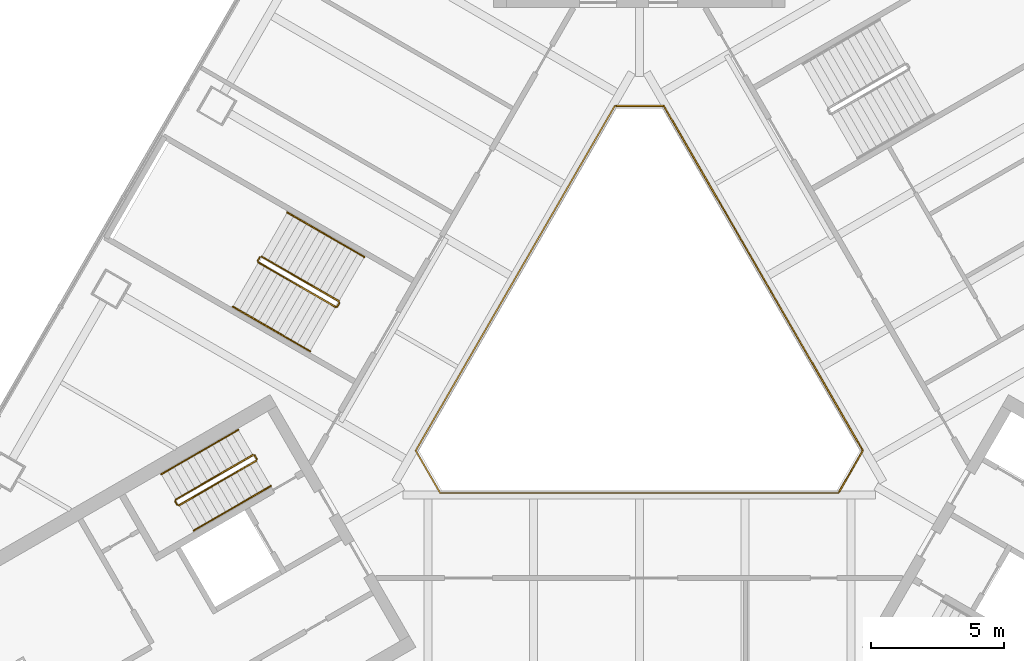
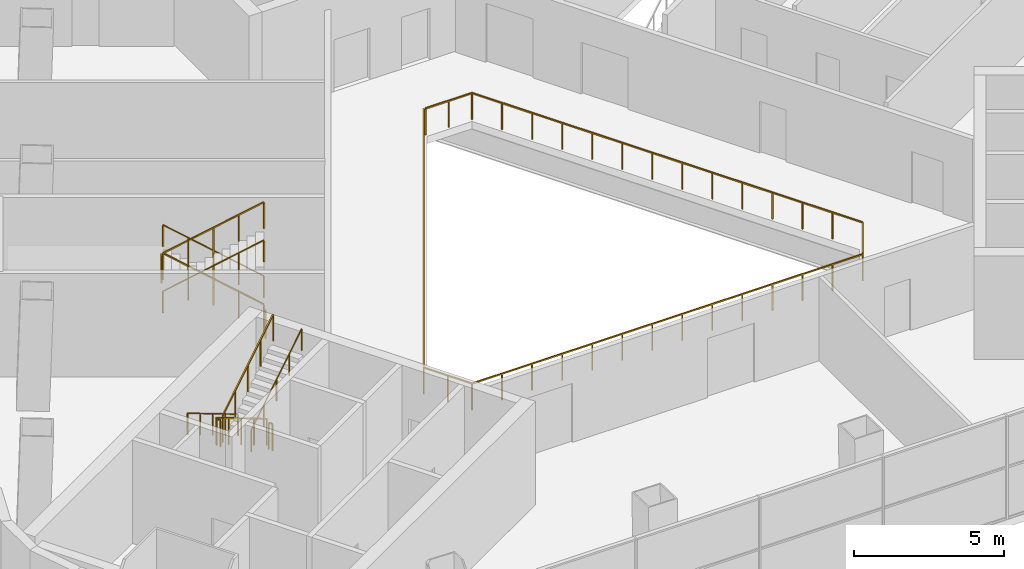
# One storey, part 11 of 12: 14 railings.
"""IFC4 building model written with IfcOpenShell, lengths in metres."""

from ifc_helpers import new_model, si_unit, direction, frame, origin, origin_2d, place, context, subcontext, project, spatial, rectangle, circle, extrude, material, type_object, element, save


model = new_model("IFC4")

# Units and contexts
model_context = context("Model", 3, precision=1e-05, world=origin(), true_north=direction((0.0, 1.0)))
body_context = subcontext(model_context, "Body", "Model", "MODEL_VIEW")
ifc_project = project(units=[si_unit("LENGTHUNIT", "METRE"), si_unit("AREAUNIT", "SQUARE_METRE"), si_unit("VOLUMEUNIT", "CUBIC_METRE"), si_unit("PLANEANGLEUNIT", "RADIAN"), si_unit("MASSUNIT", "GRAM", prefix="KILO")], contexts=[model_context])

# Site, building, storey
site_placement = place(None, origin())
site = spatial("IfcSite", under=ifc_project, at=site_placement, CompositionType="ELEMENT")
building_placement = place(site_placement, origin())
building = spatial("IfcBuilding", under=site, at=building_placement, Name="Apuvela Tower Hotel", CompositionType="ELEMENT")
storey_placement = place(building_placement, frame((0.0, 0.0, 28.5)))
storey = spatial("IfcBuildingStorey", under=building, at=storey_placement, Name="L04", CompositionType="ELEMENT", Elevation=28.5)

# Railings
ifc_material_1 = material(Name="Steel S275 balustrade", Category="steel")
railing_type_1 = type_object("IfcRailingType", Name="COR-GUARD-1100", PredefinedType="GUARDRAIL", material=ifc_material_1)
railing_1_placement = place(storey_placement, frame((-14.569091796875, -3.9658203125, 0.173095703125)))
element("IfcRailing", 1, at=railing_1_placement, inside=storey, type_object=railing_type_1, Name="L04 ST2 stair guard 1", PredefinedType="GUARDRAIL", context=body_context, shape_type="SweptSolid", body=[
    extrude(rectangle(XDim=0.048095703125, YDim=0.048095703125, at=origin_2d()), frame((0.0, 0.0, 1.076171875), z_axis=(-0.736639687092, -0.425307743487, 0.525809180911), x_axis=(0.500007602105, -0.866021014662, 0.0)), (0.0, 0.0, 1.0), 3.949951171875),
    extrude(rectangle(XDim=0.0419921875, YDim=0.0419921875, at=origin_2d()), origin(), (0.0, 0.0, 1.0), 1.052001953125),
    extrude(rectangle(XDim=0.0419921875, YDim=0.0419921875, at=origin_2d()), frame((-0.7275390625, -0.419921875, 0.519287109375)), (0.0, 0.0, 1.0), 1.052001953125),
    extrude(rectangle(XDim=0.0419921875, YDim=0.0419921875, at=origin_2d()), frame((-1.454833984375, -0.83984375, 1.03857421875)), (0.0, 0.0, 1.0), 1.052001953125),
    extrude(rectangle(XDim=0.0419921875, YDim=0.0419921875, at=origin_2d()), frame((-2.18212890625, -1.260009765625, 1.5576171875)), (0.0, 0.0, 1.0), 1.052001953125),
    extrude(rectangle(XDim=0.0419921875, YDim=0.0419921875, at=origin_2d()), frame((-2.90966796875, -1.679931640625, 2.076904296875)), (0.0, 0.0, 1.0), 1.052001953125),
])
railing_2_placement = place(storey_placement, frame((-17.4970703125, -5.714111328125, 2.25)))
element("IfcRailing", 2, at=railing_2_placement, inside=storey, type_object=railing_type_1, Name="L04 ST2 stair guard 2", PredefinedType="GUARDRAIL", context=body_context, shape_type="SweptSolid", body=[
    extrude(rectangle(XDim=0.048095703125, YDim=0.048095703125, at=origin_2d()), frame((0.0, 0.0, 1.076171875), z_axis=(0.499816412211, -0.866131372301, 0.0), x_axis=(0.866131372301, 0.499816412211, 0.0)), (0.0, 0.0, 1.0), 0.14990234375),
    extrude(rectangle(XDim=0.0419921875, YDim=0.0419921875, at=origin_2d()), origin(), (0.0, 0.0, 1.0), 1.052001953125),
    extrude(rectangle(XDim=0.0419921875, YDim=0.0419921875, at=origin_2d()), frame((0.074951171875, -0.1298828125, 0.0)), (0.0, 0.0, 1.0), 1.052001953125),
])
railing_3_placement = place(storey_placement, frame((-17.353759765625, -5.8623046875, 2.423095703125)))
element("IfcRailing", 3, at=railing_3_placement, inside=storey, type_object=railing_type_1, Name="L04 ST2 stair guard 3", PredefinedType="GUARDRAIL", context=body_context, shape_type="SweptSolid", body=[
    extrude(rectangle(XDim=0.048095703125, YDim=0.048095703125, at=origin_2d()), frame((0.0, 0.0, 1.076171875), z_axis=(0.736639687092, 0.425307743487, 0.525809180911), x_axis=(-0.500007602105, 0.866021014662, 0.0)), (0.0, 0.0, 1.0), 3.949951171875),
    extrude(rectangle(XDim=0.0419921875, YDim=0.0419921875, at=origin_2d()), origin(), (0.0, 0.0, 1.0), 1.052001953125),
    extrude(rectangle(XDim=0.0419921875, YDim=0.0419921875, at=origin_2d()), frame((0.7275390625, 0.419921875, 0.519287109375)), (0.0, 0.0, 1.0), 1.052001953125),
    extrude(rectangle(XDim=0.0419921875, YDim=0.0419921875, at=origin_2d()), frame((1.454833984375, 0.83984375, 1.03857421875)), (0.0, 0.0, 1.0), 1.052001953125),
    extrude(rectangle(XDim=0.0419921875, YDim=0.0419921875, at=origin_2d()), frame((2.18212890625, 1.260009765625, 1.5576171875)), (0.0, 0.0, 1.0), 1.052001953125),
    extrude(rectangle(XDim=0.0419921875, YDim=0.0419921875, at=origin_2d()), frame((2.90966796875, 1.679931640625, 2.076904296875)), (0.0, 0.0, 1.0), 1.052001953125),
])
railing_4_placement = place(storey_placement, frame((-14.500732421875, -3.984130859375, 0.0)))
element("IfcRailing", 4, at=railing_4_placement, inside=storey, type_object=railing_type_1, Name="L04 ST2 stair guard 4", PredefinedType="GUARDRAIL", context=body_context, shape_type="SweptSolid", body=[
    extrude(rectangle(XDim=0.048095703125, YDim=0.048095703125, at=origin_2d()), frame((0.0, 0.0, 1.076171875), z_axis=(0.499816412211, -0.866131372301, 0.0), x_axis=(0.866131372301, 0.499816412211, 0.0)), (0.0, 0.0, 1.0), 0.14990234375),
    extrude(rectangle(XDim=0.0419921875, YDim=0.0419921875, at=origin_2d()), origin(), (0.0, 0.0, 1.0), 1.052001953125),
    extrude(rectangle(XDim=0.0419921875, YDim=0.0419921875, at=origin_2d()), frame((0.074951171875, -0.1298828125, 0.0)), (0.0, 0.0, 1.0), 1.052001953125),
])
ifc_material_2 = material(Name="Stainless steel 316 handrail", Category="steel")
railing_type_2 = type_object("IfcRailingType", Name="COR-HANDRAIL-900", PredefinedType="HANDRAIL", material=ifc_material_2)
railing_5_placement = place(storey_placement, frame((-15.118896484375, -3.01318359375, 0.173095703125)))
element("IfcRailing", 5, at=railing_5_placement, inside=storey, type_object=railing_type_2, Name="L04 ST2 stair handrail 1", PredefinedType="HANDRAIL", context=body_context, shape_type="SweptSolid", body=[
    extrude(circle(Radius=0.02392578125, at=origin_2d()), frame((0.0, 0.0, 0.8759765625), z_axis=(-0.736667954249, -0.425288379326, 0.525785240943), x_axis=(0.499976138585, -0.866039179741, 0.0)), (0.0, 0.0, 1.0), 3.9501953125),
    extrude(rectangle(XDim=0.0419921875, YDim=0.0419921875, at=origin_2d()), origin(), (0.0, 0.0, 1.0), 0.851806640625),
    extrude(rectangle(XDim=0.0419921875, YDim=0.0419921875, at=origin_2d()), frame((-0.7275390625, -0.419921875, 0.519287109375)), (0.0, 0.0, 1.0), 0.851806640625),
    extrude(rectangle(XDim=0.0419921875, YDim=0.0419921875, at=origin_2d()), frame((-1.455078125, -0.83984375, 1.03857421875)), (0.0, 0.0, 1.0), 0.851806640625),
    extrude(rectangle(XDim=0.0419921875, YDim=0.0419921875, at=origin_2d()), frame((-2.182373046875, -1.260009765625, 1.5576171875)), (0.0, 0.0, 1.0), 0.851806640625),
    extrude(rectangle(XDim=0.0419921875, YDim=0.0419921875, at=origin_2d()), frame((-2.909912109375, -1.679931640625, 2.076904296875)), (0.0, 0.0, 1.0), 0.851806640625),
])
railing_6_placement = place(storey_placement, frame((-16.8037109375, -6.81494140625, 2.423095703125)))
element("IfcRailing", 6, at=railing_6_placement, inside=storey, type_object=railing_type_2, Name="L04 ST2 stair handrail 2", PredefinedType="HANDRAIL", context=body_context, shape_type="SweptSolid", body=[
    extrude(circle(Radius=0.02392578125, at=origin_2d()), frame((0.0, 0.0, 0.8759765625), z_axis=(0.736639687092, 0.425307743487, 0.525809180911), x_axis=(-0.500007602105, 0.866021014662, 0.0)), (0.0, 0.0, 1.0), 3.949951171875),
    extrude(rectangle(XDim=0.0419921875, YDim=0.0419921875, at=origin_2d()), origin(), (0.0, 0.0, 1.0), 0.851806640625),
    extrude(rectangle(XDim=0.0419921875, YDim=0.0419921875, at=origin_2d()), frame((0.7275390625, 0.419921875, 0.519287109375)), (0.0, 0.0, 1.0), 0.851806640625),
    extrude(rectangle(XDim=0.0419921875, YDim=0.0419921875, at=origin_2d()), frame((1.454833984375, 0.83984375, 1.03857421875)), (0.0, 0.0, 1.0), 0.851806640625),
    extrude(rectangle(XDim=0.0419921875, YDim=0.0419921875, at=origin_2d()), frame((2.18212890625, 1.260009765625, 1.5576171875)), (0.0, 0.0, 1.0), 0.851806640625),
    extrude(rectangle(XDim=0.0419921875, YDim=0.0419921875, at=origin_2d()), frame((2.90966796875, 1.679931640625, 2.076904296875)), (0.0, 0.0, 1.0), 0.851806640625),
])
ifc_material_3 = material(Name="Stainless steel 316 rail with laminated glass infill", Category="steel")
railing_type_3 = type_object("IfcRailingType", Name="ENV-GUARD-1100", PredefinedType="GUARDRAIL", material=ifc_material_3)
railing_7_placement = place(storey_placement, frame((-0.923828125, 9.199951171875, 0.0)))
element("IfcRailing", 7, at=railing_7_placement, inside=storey, type_object=railing_type_3, Name="Atrium void guard A L04", PredefinedType="GUARDRAIL", context=body_context, shape_type="SweptSolid", body=[
    extrude(rectangle(XDim=0.050048828125, YDim=0.050048828125, at=origin_2d()), frame((0.0, 0.0, 1.0751953125), z_axis=(-0.499990886379, -0.866030665472, 0.0), x_axis=(0.866030665472, -0.499990886379, 0.0)), (0.0, 0.0, 1.0), 15.010986328125),
    extrude(rectangle(XDim=0.050048828125, YDim=0.050048828125, at=origin_2d()), frame((-7.50537109375, -13.0, 1.0751953125), z_axis=(0.499962699187, -0.866046938348, 0.0), x_axis=(0.866046938348, 0.499962699187, 0.0)), (0.0, 0.0, 1.0), 1.847412109375),
    extrude(rectangle(XDim=0.050048828125, YDim=0.050048828125, at=origin_2d()), frame((-6.581787109375, -14.599853515625, 1.0751953125), z_axis=(1.0, 0.0, 0.0), x_axis=(0.0, 1.0, 0.0)), (0.0, 0.0, 1.0), 15.01123046875),
    extrude(rectangle(XDim=0.0400390625, YDim=0.0400390625, at=origin_2d()), origin(), (0.0, 0.0, 1.0), 1.050048828125),
    extrude(rectangle(XDim=0.0400390625, YDim=0.0400390625, at=origin_2d()), frame((-0.577392578125, -1.0, 0.0)), (0.0, 0.0, 1.0), 1.050048828125),
    extrude(rectangle(XDim=0.0400390625, YDim=0.0400390625, at=origin_2d()), frame((-1.15478515625, -2.0, 0.0)), (0.0, 0.0, 1.0), 1.050048828125),
    extrude(rectangle(XDim=0.0400390625, YDim=0.0400390625, at=origin_2d()), frame((-1.73193359375, -3.0, 0.0)), (0.0, 0.0, 1.0), 1.050048828125),
    extrude(rectangle(XDim=0.0400390625, YDim=0.0400390625, at=origin_2d()), frame((-2.309326171875, -4.0, 0.0)), (0.0, 0.0, 1.0), 1.050048828125),
    extrude(rectangle(XDim=0.0400390625, YDim=0.0400390625, at=origin_2d()), frame((-2.88671875, -5.0, 0.0)), (0.0, 0.0, 1.0), 1.050048828125),
    extrude(rectangle(XDim=0.0400390625, YDim=0.0400390625, at=origin_2d()), frame((-3.464111328125, -6.0, 0.0)), (0.0, 0.0, 1.0), 1.050048828125),
    extrude(rectangle(XDim=0.0400390625, YDim=0.0400390625, at=origin_2d()), frame((-4.041259765625, -7.0, 0.0)), (0.0, 0.0, 1.0), 1.050048828125),
    extrude(rectangle(XDim=0.0400390625, YDim=0.0400390625, at=origin_2d()), frame((-4.61865234375, -8.0, 0.0)), (0.0, 0.0, 1.0), 1.050048828125),
    extrude(rectangle(XDim=0.0400390625, YDim=0.0400390625, at=origin_2d()), frame((-5.196044921875, -9.0, 0.0)), (0.0, 0.0, 1.0), 1.050048828125),
    extrude(rectangle(XDim=0.0400390625, YDim=0.0400390625, at=origin_2d()), frame((-5.7734375, -10.0, 0.0)), (0.0, 0.0, 1.0), 1.050048828125),
    extrude(rectangle(XDim=0.0400390625, YDim=0.0400390625, at=origin_2d()), frame((-6.3505859375, -11.0, 0.0)), (0.0, 0.0, 1.0), 1.050048828125),
    extrude(rectangle(XDim=0.0400390625, YDim=0.0400390625, at=origin_2d()), frame((-6.927978515625, -12.0, 0.0)), (0.0, 0.0, 1.0), 1.050048828125),
    extrude(rectangle(XDim=0.0400390625, YDim=0.0400390625, at=origin_2d()), frame((-7.50537109375, -13.0, 0.0)), (0.0, 0.0, 1.0), 1.050048828125),
    extrude(rectangle(XDim=0.0400390625, YDim=0.0400390625, at=origin_2d()), frame((-7.04345703125, -13.7998046875, 0.0)), (0.0, 0.0, 1.0), 1.050048828125),
    extrude(rectangle(XDim=0.0400390625, YDim=0.0400390625, at=origin_2d()), frame((-6.581787109375, -14.599853515625, 0.0)), (0.0, 0.0, 1.0), 1.050048828125),
    extrude(rectangle(XDim=0.0400390625, YDim=0.0400390625, at=origin_2d()), frame((-5.427001953125, -14.599853515625, 0.0)), (0.0, 0.0, 1.0), 1.050048828125),
    extrude(rectangle(XDim=0.0400390625, YDim=0.0400390625, at=origin_2d()), frame((-4.2724609375, -14.599853515625, 0.0)), (0.0, 0.0, 1.0), 1.050048828125),
    extrude(rectangle(XDim=0.0400390625, YDim=0.0400390625, at=origin_2d()), frame((-3.11767578125, -14.599853515625, 0.0)), (0.0, 0.0, 1.0), 1.050048828125),
    extrude(rectangle(XDim=0.0400390625, YDim=0.0400390625, at=origin_2d()), frame((-1.962890625, -14.599853515625, 0.0)), (0.0, 0.0, 1.0), 1.050048828125),
    extrude(rectangle(XDim=0.0400390625, YDim=0.0400390625, at=origin_2d()), frame((-0.808349609375, -14.599853515625, 0.0)), (0.0, 0.0, 1.0), 1.050048828125),
    extrude(rectangle(XDim=0.0400390625, YDim=0.0400390625, at=origin_2d()), frame((0.346435546875, -14.599853515625, 0.0)), (0.0, 0.0, 1.0), 1.050048828125),
    extrude(rectangle(XDim=0.0400390625, YDim=0.0400390625, at=origin_2d()), frame((1.501220703125, -14.599853515625, 0.0)), (0.0, 0.0, 1.0), 1.050048828125),
    extrude(rectangle(XDim=0.0400390625, YDim=0.0400390625, at=origin_2d()), frame((2.656005859375, -14.599853515625, 0.0)), (0.0, 0.0, 1.0), 1.050048828125),
    extrude(rectangle(XDim=0.0400390625, YDim=0.0400390625, at=origin_2d()), frame((3.810546875, -14.599853515625, 0.0)), (0.0, 0.0, 1.0), 1.050048828125),
    extrude(rectangle(XDim=0.0400390625, YDim=0.0400390625, at=origin_2d()), frame((4.96533203125, -14.599853515625, 0.0)), (0.0, 0.0, 1.0), 1.050048828125),
    extrude(rectangle(XDim=0.0400390625, YDim=0.0400390625, at=origin_2d()), frame((6.1201171875, -14.599853515625, 0.0)), (0.0, 0.0, 1.0), 1.050048828125),
    extrude(rectangle(XDim=0.0400390625, YDim=0.0400390625, at=origin_2d()), frame((7.274658203125, -14.599853515625, 0.0)), (0.0, 0.0, 1.0), 1.050048828125),
    extrude(rectangle(XDim=0.0400390625, YDim=0.0400390625, at=origin_2d()), frame((8.429443359375, -14.599853515625, 0.0)), (0.0, 0.0, 1.0), 1.050048828125),
])
railing_8_placement = place(storey_placement, frame((7.53564453125, -5.347900390625, 0.0)))
element("IfcRailing", 8, at=railing_8_placement, inside=storey, type_object=railing_type_3, Name="Atrium void guard B L04", PredefinedType="GUARDRAIL", context=body_context, shape_type="SweptSolid", body=[
    extrude(rectangle(XDim=0.050048828125, YDim=0.050048828125, at=origin_2d()), frame((0.0, 0.0, 1.0751953125), z_axis=(0.499958946799, 0.866049104564, 0.0), x_axis=(-0.866049104564, 0.499958946799, 0.0)), (0.0, 0.0, 1.0), 1.787353515625),
    extrude(rectangle(XDim=0.050048828125, YDim=0.050048828125, at=origin_2d()), frame((0.8935546875, 1.5478515625, 1.0751953125), z_axis=(-0.499990886379, 0.866030665472, 0.0), x_axis=(-0.866030665472, -0.499990886379, 0.0)), (0.0, 0.0, 1.0), 15.010986328125),
    extrude(rectangle(XDim=0.050048828125, YDim=0.050048828125, at=origin_2d()), frame((-6.61181640625, 14.5478515625, 1.0751953125), z_axis=(-1.0, 0.0, 0.0), x_axis=(0.0, -1.0, 0.0)), (0.0, 0.0, 1.0), 1.78759765625),
    extrude(rectangle(XDim=0.0400390625, YDim=0.0400390625, at=origin_2d()), origin(), (0.0, 0.0, 1.0), 1.050048828125),
    extrude(rectangle(XDim=0.0400390625, YDim=0.0400390625, at=origin_2d()), frame((0.44677734375, 0.77392578125, 0.0)), (0.0, 0.0, 1.0), 1.050048828125),
    extrude(rectangle(XDim=0.0400390625, YDim=0.0400390625, at=origin_2d()), frame((0.8935546875, 1.5478515625, 0.0)), (0.0, 0.0, 1.0), 1.050048828125),
    extrude(rectangle(XDim=0.0400390625, YDim=0.0400390625, at=origin_2d()), frame((0.316162109375, 2.5478515625, 0.0)), (0.0, 0.0, 1.0), 1.050048828125),
    extrude(rectangle(XDim=0.0400390625, YDim=0.0400390625, at=origin_2d()), frame((-0.26123046875, 3.5478515625, 0.0)), (0.0, 0.0, 1.0), 1.050048828125),
    extrude(rectangle(XDim=0.0400390625, YDim=0.0400390625, at=origin_2d()), frame((-0.83837890625, 4.5478515625, 0.0)), (0.0, 0.0, 1.0), 1.050048828125),
    extrude(rectangle(XDim=0.0400390625, YDim=0.0400390625, at=origin_2d()), frame((-1.415771484375, 5.5478515625, 0.0)), (0.0, 0.0, 1.0), 1.050048828125),
    extrude(rectangle(XDim=0.0400390625, YDim=0.0400390625, at=origin_2d()), frame((-1.9931640625, 6.5478515625, 0.0)), (0.0, 0.0, 1.0), 1.050048828125),
    extrude(rectangle(XDim=0.0400390625, YDim=0.0400390625, at=origin_2d()), frame((-2.570556640625, 7.5478515625, 0.0)), (0.0, 0.0, 1.0), 1.050048828125),
    extrude(rectangle(XDim=0.0400390625, YDim=0.0400390625, at=origin_2d()), frame((-3.147705078125, 8.5478515625, 0.0)), (0.0, 0.0, 1.0), 1.050048828125),
    extrude(rectangle(XDim=0.0400390625, YDim=0.0400390625, at=origin_2d()), frame((-3.72509765625, 9.5478515625, 0.0)), (0.0, 0.0, 1.0), 1.050048828125),
    extrude(rectangle(XDim=0.0400390625, YDim=0.0400390625, at=origin_2d()), frame((-4.302490234375, 10.5478515625, 0.0)), (0.0, 0.0, 1.0), 1.050048828125),
    extrude(rectangle(XDim=0.0400390625, YDim=0.0400390625, at=origin_2d()), frame((-4.8798828125, 11.5478515625, 0.0)), (0.0, 0.0, 1.0), 1.050048828125),
    extrude(rectangle(XDim=0.0400390625, YDim=0.0400390625, at=origin_2d()), frame((-5.45703125, 12.5478515625, 0.0)), (0.0, 0.0, 1.0), 1.050048828125),
    extrude(rectangle(XDim=0.0400390625, YDim=0.0400390625, at=origin_2d()), frame((-6.034423828125, 13.5478515625, 0.0)), (0.0, 0.0, 1.0), 1.050048828125),
    extrude(rectangle(XDim=0.0400390625, YDim=0.0400390625, at=origin_2d()), frame((-6.61181640625, 14.5478515625, 0.0)), (0.0, 0.0, 1.0), 1.050048828125),
    extrude(rectangle(XDim=0.0400390625, YDim=0.0400390625, at=origin_2d()), frame((-7.505615234375, 14.5478515625, 0.0)), (0.0, 0.0, 1.0), 1.050048828125),
    extrude(rectangle(XDim=0.0400390625, YDim=0.0400390625, at=origin_2d()), frame((-8.3994140625, 14.5478515625, 0.0)), (0.0, 0.0, 1.0), 1.050048828125),
])
ifc_material_4 = material(Name="Steel S355 guard with laminated glass infill", Category="steel")
railing_type_4 = type_object("IfcRailingType", Name="SPC-GUARD-1100", PredefinedType="GUARDRAIL", material=ifc_material_4)
railing_9_placement = place(storey_placement, frame((-11.32568359375, 1.83349609375, 0.173095703125)))
element("IfcRailing", 9, at=railing_9_placement, inside=storey, type_object=railing_type_4, Name="L04 PS2 stair guard 1", PredefinedType="GUARDRAIL", context=body_context, shape_type="SweptSolid", body=[
    extrude(rectangle(XDim=0.048095703125, YDim=0.048095703125, at=origin_2d()), frame((0.0, 0.0, 1.076171875), z_axis=(-0.736639687092, 0.425307743487, 0.525809180911), x_axis=(-0.500007602105, -0.866021014662, 0.0)), (0.0, 0.0, 1.0), 3.949951171875),
    extrude(rectangle(XDim=0.0419921875, YDim=0.0419921875, at=origin_2d()), origin(), (0.0, 0.0, 1.0), 1.052001953125),
    extrude(rectangle(XDim=0.0419921875, YDim=0.0419921875, at=origin_2d()), frame((-0.7275390625, 0.419921875, 0.519287109375)), (0.0, 0.0, 1.0), 1.052001953125),
    extrude(rectangle(XDim=0.0419921875, YDim=0.0419921875, at=origin_2d()), frame((-1.454833984375, 0.83984375, 1.03857421875)), (0.0, 0.0, 1.0), 1.052001953125),
    extrude(rectangle(XDim=0.0419921875, YDim=0.0419921875, at=origin_2d()), frame((-2.18212890625, 1.260009765625, 1.5576171875)), (0.0, 0.0, 1.0), 1.052001953125),
    extrude(rectangle(XDim=0.0419921875, YDim=0.0419921875, at=origin_2d()), frame((-2.90966796875, 1.679931640625, 2.076904296875)), (0.0, 0.0, 1.0), 1.052001953125),
])
railing_10_placement = place(storey_placement, frame((-14.3037109375, 3.4951171875, 2.25)))
element("IfcRailing", 10, at=railing_10_placement, inside=storey, type_object=railing_type_4, Name="L04 PS2 stair guard 2", PredefinedType="GUARDRAIL", context=body_context, shape_type="SweptSolid", body=[
    extrude(rectangle(XDim=0.048095703125, YDim=0.048095703125, at=origin_2d()), frame((0.0, 0.0, 1.076171875), z_axis=(-0.499816412211, -0.866131372301, 0.0), x_axis=(0.866131372301, -0.499816412211, 0.0)), (0.0, 0.0, 1.0), 0.14990234375),
    extrude(rectangle(XDim=0.0419921875, YDim=0.0419921875, at=origin_2d()), origin(), (0.0, 0.0, 1.0), 1.052001953125),
    extrude(rectangle(XDim=0.0419921875, YDim=0.0419921875, at=origin_2d()), frame((-0.074951171875, -0.1298828125, 0.0)), (0.0, 0.0, 1.0), 1.052001953125),
])
railing_11_placement = place(storey_placement, frame((-14.3603515625, 3.296875, 2.423095703125)))
element("IfcRailing", 11, at=railing_11_placement, inside=storey, type_object=railing_type_4, Name="L04 PS2 stair guard 3", PredefinedType="GUARDRAIL", context=body_context, shape_type="SweptSolid", body=[
    extrude(rectangle(XDim=0.048095703125, YDim=0.048095703125, at=origin_2d()), frame((0.0, 0.0, 1.076171875), z_axis=(0.736639687092, -0.425307743487, 0.525809180911), x_axis=(0.500007602105, 0.866021014662, 0.0)), (0.0, 0.0, 1.0), 3.949951171875),
    extrude(rectangle(XDim=0.0419921875, YDim=0.0419921875, at=origin_2d()), origin(), (0.0, 0.0, 1.0), 1.052001953125),
    extrude(rectangle(XDim=0.0419921875, YDim=0.0419921875, at=origin_2d()), frame((0.7275390625, -0.419921875, 0.519287109375)), (0.0, 0.0, 1.0), 1.052001953125),
    extrude(rectangle(XDim=0.0419921875, YDim=0.0419921875, at=origin_2d()), frame((1.454833984375, -0.83984375, 1.03857421875)), (0.0, 0.0, 1.0), 1.052001953125),
    extrude(rectangle(XDim=0.0419921875, YDim=0.0419921875, at=origin_2d()), frame((2.18212890625, -1.260009765625, 1.5576171875)), (0.0, 0.0, 1.0), 1.052001953125),
    extrude(rectangle(XDim=0.0419921875, YDim=0.0419921875, at=origin_2d()), frame((2.90966796875, -1.679931640625, 2.076904296875)), (0.0, 0.0, 1.0), 1.052001953125),
])
railing_12_placement = place(storey_placement, frame((-11.307373046875, 1.76513671875, 0.0)))
element("IfcRailing", 12, at=railing_12_placement, inside=storey, type_object=railing_type_4, Name="L04 PS2 stair guard 4", PredefinedType="GUARDRAIL", context=body_context, shape_type="SweptSolid", body=[
    extrude(rectangle(XDim=0.048095703125, YDim=0.048095703125, at=origin_2d()), frame((0.0, 0.0, 1.076171875), z_axis=(-0.499816412211, -0.866131372301, 0.0), x_axis=(0.866131372301, -0.499816412211, 0.0)), (0.0, 0.0, 1.0), 0.14990234375),
    extrude(rectangle(XDim=0.0419921875, YDim=0.0419921875, at=origin_2d()), origin(), (0.0, 0.0, 1.0), 1.052001953125),
    extrude(rectangle(XDim=0.0419921875, YDim=0.0419921875, at=origin_2d()), frame((-0.074951171875, -0.1298828125, 0.0)), (0.0, 0.0, 1.0), 1.052001953125),
])
ifc_material_5 = material(Name="Steel S355 tube handrail", Category="steel")
railing_type_5 = type_object("IfcRailingType", Name="SPC-HANDRAIL-900", PredefinedType="HANDRAIL", material=ifc_material_5)
railing_13_placement = place(storey_placement, frame((-10.363037109375, 3.50048828125, 0.173095703125)))
element("IfcRailing", 13, at=railing_13_placement, inside=storey, type_object=railing_type_5, Name="L04 PS2 stair handrail 1", PredefinedType="HANDRAIL", context=body_context, shape_type="SweptSolid", body=[
    extrude(circle(Radius=0.02392578125, at=origin_2d()), frame((0.0, 0.0, 0.8759765625), z_axis=(-0.736648589954, 0.42533900462, 0.52577141998), x_axis=(-0.500030632641, -0.866007717299, 0.0)), (0.0, 0.0, 1.0), 3.9501953125),
    extrude(rectangle(XDim=0.0419921875, YDim=0.0419921875, at=origin_2d()), origin(), (0.0, 0.0, 1.0), 0.851806640625),
    extrude(rectangle(XDim=0.0419921875, YDim=0.0419921875, at=origin_2d()), frame((-0.7275390625, 0.419921875, 0.519287109375)), (0.0, 0.0, 1.0), 0.851806640625),
    extrude(rectangle(XDim=0.0419921875, YDim=0.0419921875, at=origin_2d()), frame((-1.455078125, 0.840087890625, 1.03857421875)), (0.0, 0.0, 1.0), 0.851806640625),
    extrude(rectangle(XDim=0.0419921875, YDim=0.0419921875, at=origin_2d()), frame((-2.182373046875, 1.26025390625, 1.5576171875)), (0.0, 0.0, 1.0), 0.851806640625),
    extrude(rectangle(XDim=0.0419921875, YDim=0.0419921875, at=origin_2d()), frame((-2.909912109375, 1.68017578125, 2.076904296875)), (0.0, 0.0, 1.0), 0.851806640625),
])
railing_14_placement = place(storey_placement, frame((-15.322998046875, 1.6298828125, 2.423095703125)))
element("IfcRailing", 14, at=railing_14_placement, inside=storey, type_object=railing_type_5, Name="L04 PS2 stair handrail 2", PredefinedType="HANDRAIL", context=body_context, shape_type="SweptSolid", body=[
    extrude(circle(Radius=0.02392578125, at=origin_2d()), frame((0.0, 0.0, 0.8759765625), z_axis=(0.736667954249, -0.425288379326, 0.525785240943), x_axis=(0.499976138585, 0.866039179741, 0.0)), (0.0, 0.0, 1.0), 3.9501953125),
    extrude(rectangle(XDim=0.0419921875, YDim=0.0419921875, at=origin_2d()), origin(), (0.0, 0.0, 1.0), 0.851806640625),
    extrude(rectangle(XDim=0.0419921875, YDim=0.0419921875, at=origin_2d()), frame((0.7275390625, -0.419921875, 0.519287109375)), (0.0, 0.0, 1.0), 0.851806640625),
    extrude(rectangle(XDim=0.0419921875, YDim=0.0419921875, at=origin_2d()), frame((1.455078125, -0.83984375, 1.03857421875)), (0.0, 0.0, 1.0), 0.851806640625),
    extrude(rectangle(XDim=0.0419921875, YDim=0.0419921875, at=origin_2d()), frame((2.182373046875, -1.260009765625, 1.5576171875)), (0.0, 0.0, 1.0), 0.851806640625),
    extrude(rectangle(XDim=0.0419921875, YDim=0.0419921875, at=origin_2d()), frame((2.909912109375, -1.679931640625, 2.076904296875)), (0.0, 0.0, 1.0), 0.851806640625),
])

save(model, "model.ifc")
